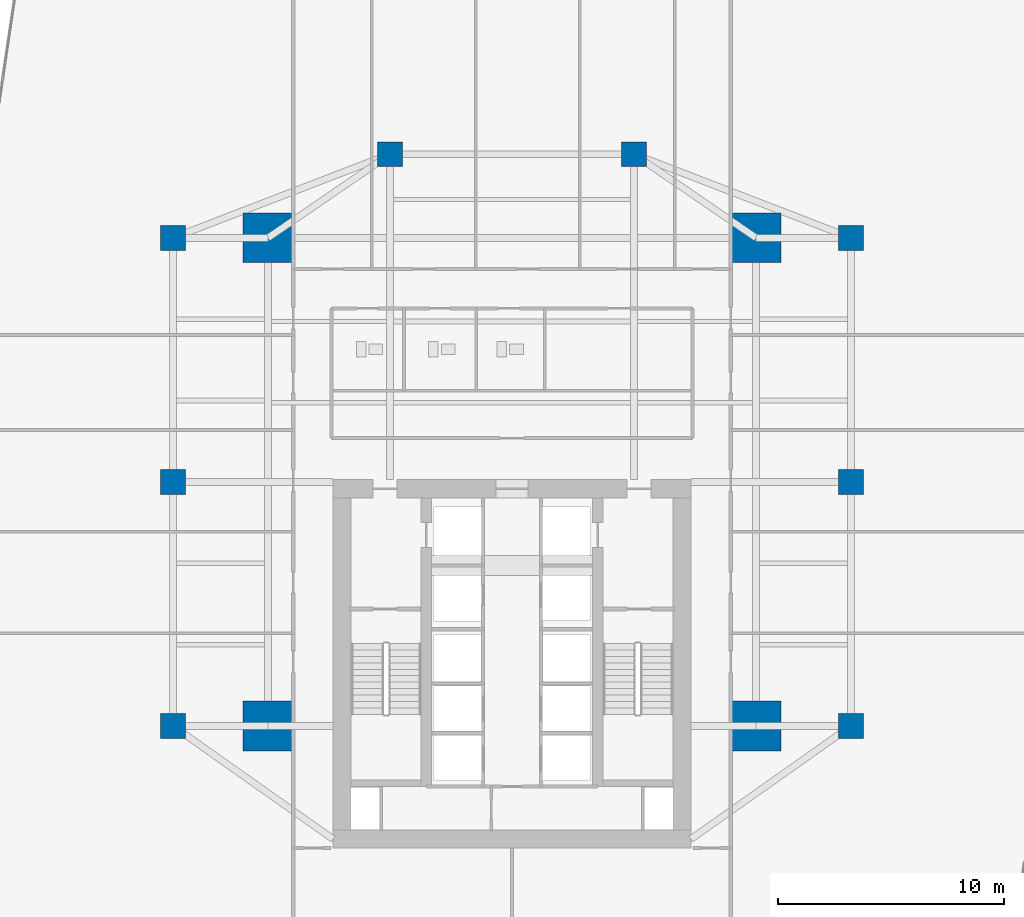
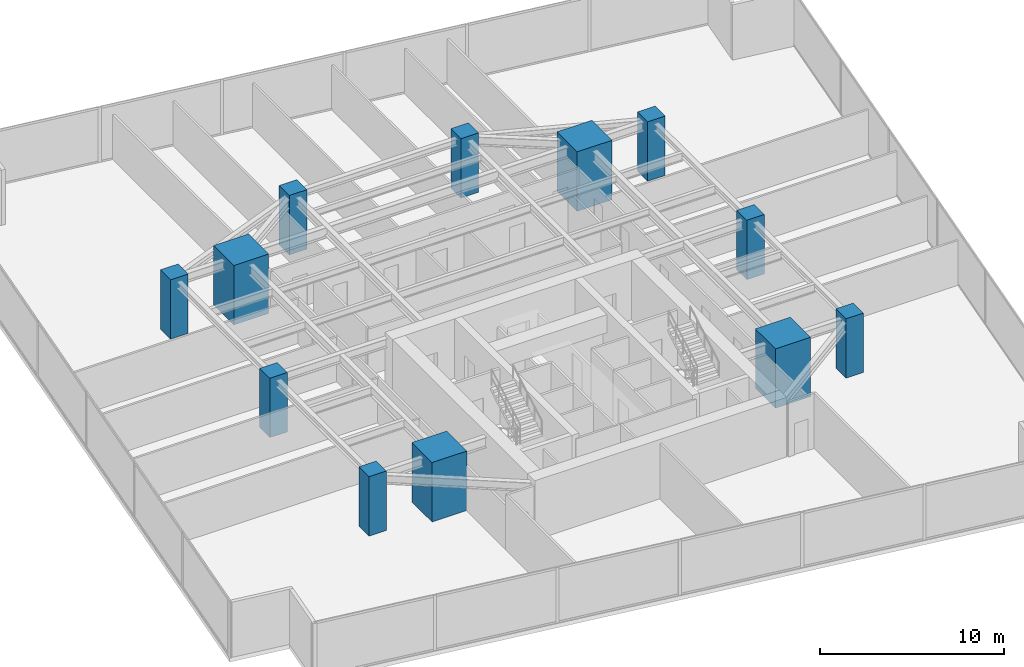
# One storey, part 1 of 29: 12 columns.
"""IFC4 building model written with IfcOpenShell, lengths in metres."""

from ifc_helpers import new_model, si_unit, direction, frame, origin, origin_2d, place, context, subcontext, project, spatial, rectangle, extrude, source, transform, mapped, material, material_profile, profile_set, type_object, type_shapes, element, save


model = new_model("IFC4")

# Units and contexts
model_context = context("Model", 3, precision=1e-05, world=origin(), true_north=direction((0.0, 1.0)))
body_context = subcontext(model_context, "Body", "Model", "MODEL_VIEW")
ifc_project = project(units=[si_unit("LENGTHUNIT", "METRE"), si_unit("AREAUNIT", "SQUARE_METRE"), si_unit("VOLUMEUNIT", "CUBIC_METRE"), si_unit("PLANEANGLEUNIT", "RADIAN"), si_unit("MASSUNIT", "GRAM", prefix="KILO")], contexts=[model_context])

# Site, building, storey
site_placement = place(None, origin())
site = spatial("IfcSite", under=ifc_project, at=site_placement, CompositionType="ELEMENT")
building_placement = place(site_placement, origin())
building = spatial("IfcBuilding", under=site, at=building_placement, Name="Krantzveldt Concourse Tower", CompositionType="ELEMENT")
storey_placement = place(building_placement, frame((0.0, 0.0, 68.449951171875)))
storey = spatial("IfcBuildingStorey", under=building, at=storey_placement, Name="L16", CompositionType="ELEMENT", Elevation=68.449951171875)

# Columns
ifc_material = material(Name="Concrete C60/75", Category="concrete")
ifc_material_profile_1 = material_profile(ifc_material, rectangle(XDim=2.199951171875, YDim=2.199951171875, at=origin_2d()), Name="Concrete C60/75", Category="concrete")
ifc_profile_set_1 = profile_set([ifc_material_profile_1], Name="Concrete C60/75 - RC 2200x2200")
column_type_1 = type_object("IfcColumnType", Name="COL-MC-2200", PredefinedType="USERDEFINED", material=ifc_profile_set_1)
shared_shape_1 = source(origin(), body_context, "Body", "SweptSolid", [
    extrude(rectangle(XDim=2.199951171875, YDim=2.199951171875, at=origin_2d()), origin(), (0.0, 0.0, 1.0), 3.949951171875),
])
type_shapes(column_type_1, [shared_shape_1])
for number, where, z_axis, x_axis, name in (
    (1, (25.199951171875, 15.89990234375, 0.0), (0.0, 0.0, 1.0), (1.0, 0.0, 0.0), "MC-SW-L16"),
    (2, (46.800048828125, 15.89990234375, 0.0), (0.0, 0.0, 1.0), (1.0, 0.0, 0.0), "MC-SE-L16"),
    (3, (46.800048828125, 37.5, 0.0), (0.0, 0.0, 1.0), (1.0, 0.0, 0.0), "MC-NE-L16"),
    (4, (25.199951171875, 37.5, 0.0), (0.0, 0.0, 1.0), (1.0, 0.0, 0.0), "MC-NW-L16"),
):
    element("IfcColumn", number, at=place(storey_placement, frame(where, z_axis=z_axis, x_axis=x_axis)), inside=storey, type_object=column_type_1, Name=name, ObjectType="MEGA COLUMN", PredefinedType="USERDEFINED", context=body_context, shape_type="MappedRepresentation", body=[
        mapped(shared_shape_1, transform((0.0, 0.0, 0.0), x_axis=(1.0, 0.0, 0.0), y_axis=(0.0, 1.0, 0.0), z_axis=(0.0, 0.0, 1.0), scale=1.0)),
    ])
ifc_material_profile_2 = material_profile(ifc_material, rectangle(XDim=1.10009765625, YDim=1.10009765625, at=origin_2d()), Name="Concrete C60/75", Category="concrete")
ifc_profile_set_2 = profile_set([ifc_material_profile_2], Name="Concrete C60/75 - RC 1100x1100")
column_type_2 = type_object("IfcColumnType", Name="COL-C-Z1", PredefinedType="COLUMN", material=ifc_profile_set_2)
shared_shape_2 = source(origin(), body_context, "Body", "SweptSolid", [
    extrude(rectangle(XDim=1.10009765625, YDim=1.10009765625, at=origin_2d()), origin(), (0.0, 0.0, 1.0), 3.949951171875),
])
type_shapes(column_type_2, [shared_shape_2])
for number, where, z_axis, x_axis, name in (
    (5, (21.0, 15.89990234375, 0.0), (0.0, 0.0, 1.0), (1.0, 0.0, 0.0), "PC-R01-L16"),
    (6, (21.0, 26.699951171875, 0.0), (0.0, 0.0, 1.0), (1.0, 0.0, 0.0), "PC-R02-L16"),
    (7, (21.0, 37.5, 0.0), (0.0, 0.0, 1.0), (1.0, 0.0, 0.0), "PC-R03-L16"),
    (8, (30.60009765625, 41.199951171875, 0.0), (0.0, 0.0, 1.0), (1.0, 0.0, 0.0), "PC-R04-L16"),
    (9, (41.39990234375, 41.199951171875, 0.0), (0.0, 0.0, 1.0), (1.0, 0.0, 0.0), "PC-R05-L16"),
    (10, (51.0, 37.5, 0.0), (0.0, 0.0, 1.0), (1.0, 0.0, 0.0), "PC-R06-L16"),
    (11, (51.0, 26.699951171875, 0.0), (0.0, 0.0, 1.0), (1.0, 0.0, 0.0), "PC-R07-L16"),
    (12, (51.0, 15.89990234375, 0.0), (0.0, 0.0, 1.0), (1.0, 0.0, 0.0), "PC-R08-L16"),
):
    element("IfcColumn", number, at=place(storey_placement, frame(where, z_axis=z_axis, x_axis=x_axis)), inside=storey, type_object=column_type_2, Name=name, PredefinedType="COLUMN", context=body_context, shape_type="MappedRepresentation", body=[
        mapped(shared_shape_2, transform((0.0, 0.0, 0.0), x_axis=(1.0, 0.0, 0.0), y_axis=(0.0, 1.0, 0.0), z_axis=(0.0, 0.0, 1.0), scale=1.0)),
    ])

save(model, "model.ifc")
